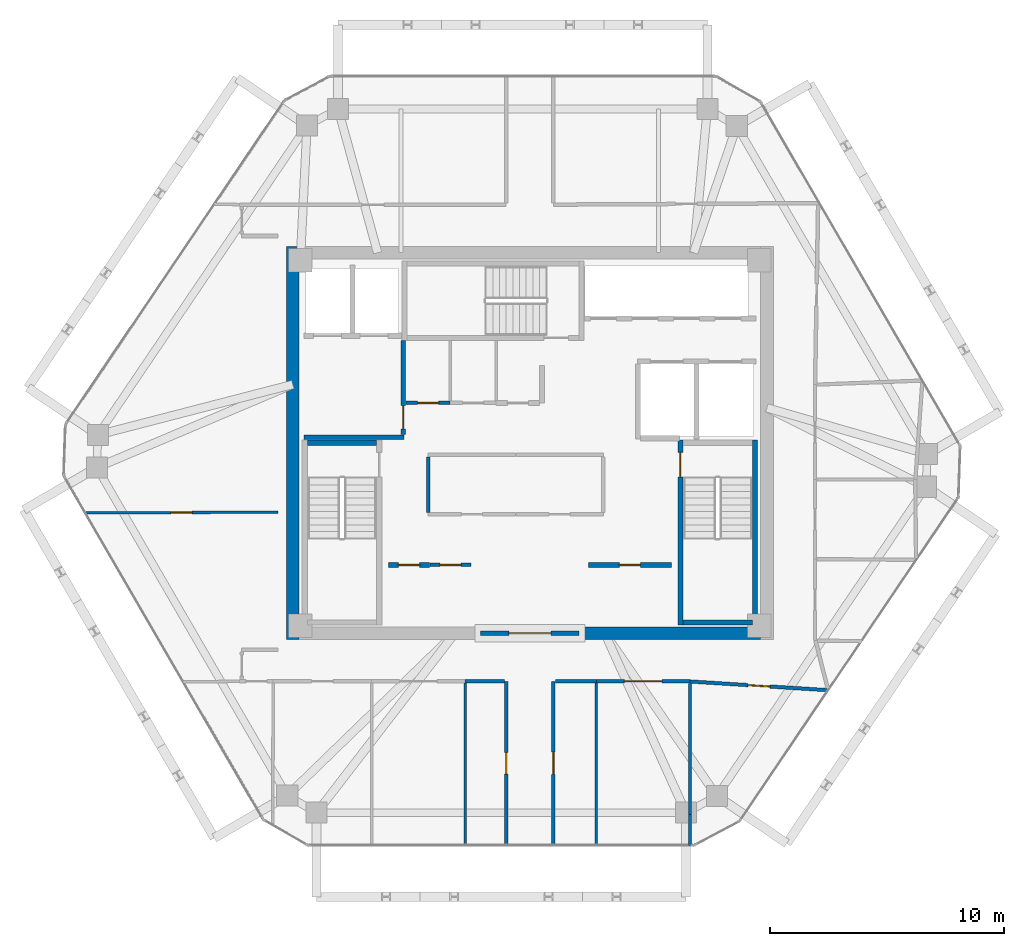
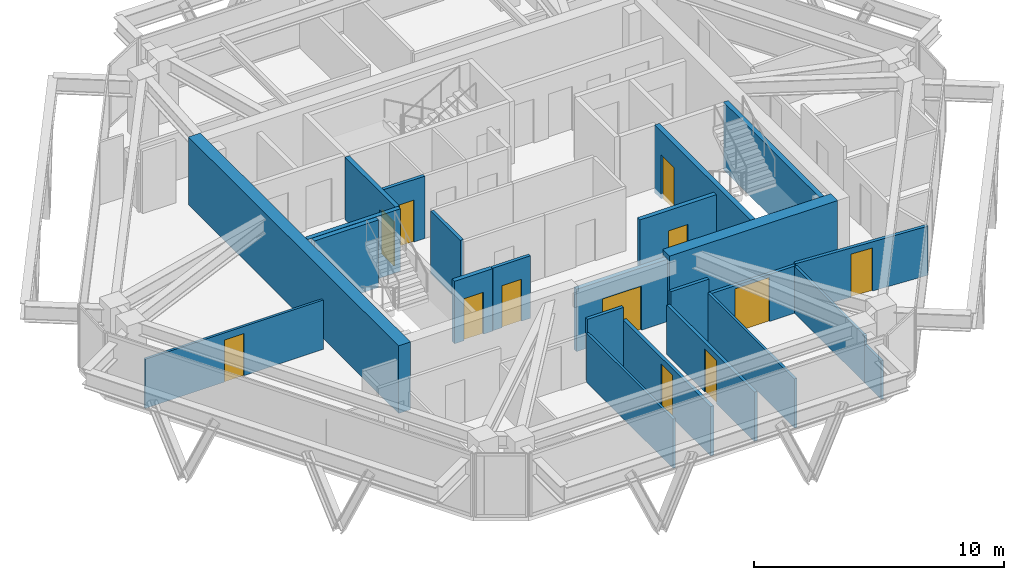
# One storey, part 8 of 11: 25 walls, 12 doors, 12 openings.
"""IFC4 building model written with IfcOpenShell, lengths in metres."""

from ifc_helpers import new_model, si_unit, direction, frame, frame_2d, origin, place, context, subcontext, project, spatial, rectangle, extrude, source, transform, mapped, material, layer, layer_set, type_object, type_shapes, element, fill, save


model = new_model("IFC4")

# Units and contexts
model_context = context("Model", 3, precision=1e-05, world=origin(), true_north=direction((0.0, 1.0)))
body_context = subcontext(model_context, "Body", "Model", "MODEL_VIEW")
ifc_project = project(units=[si_unit("LENGTHUNIT", "METRE"), si_unit("AREAUNIT", "SQUARE_METRE"), si_unit("VOLUMEUNIT", "CUBIC_METRE"), si_unit("PLANEANGLEUNIT", "RADIAN"), si_unit("MASSUNIT", "GRAM", prefix="KILO")], contexts=[model_context])

# Site, building, storey
site_placement = place(None, origin())
site = spatial("IfcSite", under=ifc_project, at=site_placement, CompositionType="ELEMENT")
building_placement = place(site_placement, origin())
building = spatial("IfcBuilding", under=site, at=building_placement, Name="Durnholm Broadcast Tower", CompositionType="ELEMENT")
storey_placement = place(building_placement, frame((0.0, 0.0, 244.699951171875)))
storey = spatial("IfcBuildingStorey", under=building, at=storey_placement, Name="L68", CompositionType="ELEMENT", Elevation=244.699951171875)

# Walls
ifc_material_1 = material(Name="Concrete C70/85", Category="concrete")
ifc_layer_1 = layer(ifc_material_1, 0.550048828125)
ifc_layer_set_1 = layer_set([ifc_layer_1], Name="Concrete C70/85")
wall_type_1 = type_object("IfcWallType", Name="WALL-CW-550", PredefinedType="SHEAR", material=ifc_layer_set_1)
wall_1_placement = place(storey_placement, frame((-10.125, -8.39990234375, 0.0), z_axis=(0.0, 0.0, 1.0), x_axis=(0.0, 1.0, 0.0)))
element("IfcWall", 1, at=wall_1_placement, inside=storey, type_object=wall_type_1, Name="L68 central core shear wall CW-WEST", PredefinedType="SHEAR", context=body_context, shape_type="SweptSolid", body=[
    extrude(rectangle(XDim=16.7998046875, YDim=0.550048828125, at=frame_2d((8.39990234375, 0.0))), origin(), (0.0, 0.0, 1.0), 3.300048828125),
])
wall_2_placement = place(storey_placement, frame((2.10009765625, -8.125, 0.0), z_axis=(0.0, 0.0, 1.0), x_axis=(1.0, 0.0, 0.0)))
element("IfcWall", 2, at=wall_2_placement, inside=storey, type_object=wall_type_1, Name="L68 central core shear wall CW-S2", PredefinedType="SHEAR", context=body_context, shape_type="SweptSolid", body=[
    extrude(rectangle(XDim=7.75, YDim=0.550048828125, at=frame_2d((3.875, 0.0))), origin(), (0.0, 0.0, 1.0), 3.300048828125),
])

# Wall, opening, door
ifc_material_2 = material(Name="Fire-Rated Gypsum Shaftwall", Category="concrete")
ifc_layer_2 = layer(ifc_material_2, 0.199951171875)
ifc_layer_set_2 = layer_set([ifc_layer_2], Name="Fire-Rated Gypsum Shaftwall")
wall_type_2 = type_object("IfcWallType", Name="WALL-LOB-200", PredefinedType="SOLIDWALL", material=ifc_layer_set_2)
wall_3_placement = place(storey_placement, frame((-2.10009765625, -8.125, 0.0), z_axis=(0.0, 0.0, 1.0), x_axis=(1.0, 0.0, 0.0)))
wall_3 = element("IfcWall", 3, at=wall_3_placement, inside=storey, type_object=wall_type_2, Name="L68 south core lobby fire screen", PredefinedType="SOLIDWALL", context=body_context, shape_type="SweptSolid", body=[
    extrude(rectangle(XDim=4.2001953125, YDim=0.199951171875, at=frame_2d((2.10009765625, 0.0))), origin(), (0.0, 0.0, 1.0), 3.045166015625),
])
opening_1_placement = place(wall_3_placement, frame((1.199951171875, 0.0, 0.0)))
opening_1 = element("IfcOpeningElement", 4, at=opening_1_placement, cuts=wall_3, Name="Opening DP-60", PredefinedType="OPENING", context=body_context, shape_type="SweptSolid", body=[
    extrude(rectangle(XDim=1.800048828125, YDim=2.14990234375, at=frame_2d((0.89990234375, 1.074951171875))), frame((0.0, 0.10986328125, 0.0), z_axis=(0.0, -1.0, 0.0), x_axis=(1.0, 0.0, 0.0)), (0.0, 0.0, 1.0), 0.219970703125),
])
ifc_material_3 = material(Name="Fire-Rated Double Corridor Door", Category="steel")
ifc_layer_3 = layer(ifc_material_3, 0.050048828125)
ifc_layer_set_3 = layer_set([ifc_layer_3], Name="Fire-Rated Double Corridor Door")
door_type_1 = type_object("IfcDoorType", Name="DOOR-PAIR-FD60", OperationType="DOUBLE_DOOR_SINGLE_SWING", PredefinedType="DOOR", material=ifc_layer_set_3)
shared_shape_1 = source(origin(), body_context, "Body", "SweptSolid", [
    extrude(rectangle(XDim=1.800048828125, YDim=2.14990234375, at=frame_2d((0.89990234375, 1.074951171875))), frame((0.0, 0.02490234375, 0.0), z_axis=(0.0, -1.0, 0.0), x_axis=(1.0, 0.0, 0.0)), (0.0, 0.0, 1.0), 0.050048828125),
])
type_shapes(door_type_1, [shared_shape_1])
door_1_placement = place(opening_1_placement, origin())
door_1 = element("IfcDoor", 5, at=door_1_placement, inside=storey, type_object=door_type_1, Name="L68 south core lobby double fire door", OperationType="DOUBLE_DOOR_SINGLE_SWING", OverallHeight=2.14990234375, OverallWidth=1.800048828125, PredefinedType="DOOR", context=body_context, shape_type="MappedRepresentation", body=[
    mapped(shared_shape_1, transform((0.0, 0.0, 0.0), x_axis=(1.0, 0.0, 0.0), y_axis=(0.0, 1.0, 0.0), z_axis=(0.0, 0.0, 1.0), scale=1.0)),
])
fill(opening_1, door_1)

# Wall
wall_4_placement = place(storey_placement, frame((-9.64990234375, 0.25, 0.0), z_axis=(0.0, 0.0, 1.0), x_axis=(1.0, 0.0, 0.0)))
element("IfcWall", 6, at=wall_4_placement, inside=storey, type_object=wall_type_2, Name="L68 Fire Service Access Elevator lobby south wall", PredefinedType="SOLIDWALL", context=body_context, shape_type="SweptSolid", body=[
    extrude(rectangle(XDim=4.27001953125, YDim=0.199951171875, at=frame_2d((2.135009765625, 0.0))), origin(), (0.0, 0.0, 1.0), 3.045166015625),
])

# Wall, opening, door
wall_5_placement = place(storey_placement, frame((-5.39990234375, 0.35400390625, 0.0), z_axis=(0.0, 0.0, 1.0), x_axis=(0.0, 1.0, 0.0)))
wall_5 = element("IfcWall", 7, at=wall_5_placement, inside=storey, type_object=wall_type_2, Name="L68 Fire Service Access Elevator lobby east fire wall", PredefinedType="SOLIDWALL", context=body_context, shape_type="SweptSolid", body=[
    extrude(rectangle(XDim=4.02587890625, YDim=0.199951171875, at=frame_2d((2.012939453125, 0.0))), origin(), (0.0, 0.0, 1.0), 3.045166015625),
])
opening_2_placement = place(wall_5_placement, frame((0.24609375, 0.0, 0.0)))
opening_2 = element("IfcOpeningElement", 8, at=opening_2_placement, cuts=wall_5, Name="Opening DL-60L", PredefinedType="OPENING", context=body_context, shape_type="SweptSolid", body=[
    extrude(rectangle(XDim=1.0, YDim=2.14990234375, at=frame_2d((0.5, 1.074951171875))), frame((0.0, 0.10986328125, 0.0), z_axis=(0.0, -1.0, 0.0), x_axis=(1.0, 0.0, 0.0)), (0.0, 0.0, 1.0), 0.219970703125),
])
ifc_material_4 = material(Name="Fire-Rated Timber/Steel Door", Category="steel")
ifc_layer_4 = layer(ifc_material_4, 0.050048828125)
ifc_layer_set_4 = layer_set([ifc_layer_4], Name="Fire-Rated Timber/Steel Door")
door_type_2 = type_object("IfcDoorType", Name="DOOR-LOB-FD60-L", OperationType="NOTDEFINED", PredefinedType="DOOR", material=ifc_layer_set_4)
shared_shape_2 = source(origin(), body_context, "Body", "SweptSolid", [
    extrude(rectangle(XDim=1.0, YDim=2.14990234375, at=frame_2d((0.5, 1.074951171875))), frame((0.0, 0.02490234375, 0.0), z_axis=(0.0, -1.0, 0.0), x_axis=(1.0, 0.0, 0.0)), (0.0, 0.0, 1.0), 0.050048828125),
])
type_shapes(door_type_2, [shared_shape_2])
door_2_placement = place(opening_2_placement, origin())
door_2 = element("IfcDoor", 9, at=door_2_placement, inside=storey, type_object=door_type_2, Name="L68 Fire Service Access Elevator lobby smoke door", OperationType="SINGLE_SWING_LEFT", OverallHeight=2.14990234375, OverallWidth=1.0, PredefinedType="DOOR", context=body_context, shape_type="MappedRepresentation", body=[
    mapped(shared_shape_2, transform((0.0, 0.0, 0.0), x_axis=(1.0, 0.0, 0.0), y_axis=(0.0, 1.0, 0.0), z_axis=(0.0, 0.0, 1.0), scale=1.0)),
])
fill(opening_2, door_2)

wall_6_placement = place(storey_placement, frame((-6.0400390625, -5.2099609375, 0.0), z_axis=(0.0, 0.0, 1.0), x_axis=(1.0, 0.0, 0.0)))
wall_6 = element("IfcWall", 10, at=wall_6_placement, inside=storey, type_object=wall_type_2, Name="L68 Media Fiber Patch Room corridor partition", PredefinedType="SOLIDWALL", context=body_context, shape_type="SweptSolid", body=[
    extrude(rectangle(XDim=1.760009765625, YDim=0.199951171875, at=frame_2d((0.8798828125, 0.0))), origin(), (0.0, 0.0, 1.0), 3.045166015625),
])
opening_3_placement = place(wall_6_placement, frame((0.429931640625, 0.0, 0.0)))
opening_3 = element("IfcOpeningElement", 11, at=opening_3_placement, cuts=wall_6, Name="Opening DC-60L", PredefinedType="OPENING", context=body_context, shape_type="SweptSolid", body=[
    extrude(rectangle(XDim=0.89990234375, YDim=2.050048828125, at=frame_2d((0.449951171875, 1.02490234375))), frame((0.0, 0.10986328125, 0.0), z_axis=(0.0, -1.0, 0.0), x_axis=(1.0, 0.0, 0.0)), (0.0, 0.0, 1.0), 0.219970703125),
])
ifc_material_5 = material(Name="Fire-Rated Core Service Door", Category="steel")
ifc_layer_5 = layer(ifc_material_5, 0.050048828125)
ifc_layer_set_5 = layer_set([ifc_layer_5], Name="Fire-Rated Core Service Door")
door_type_3 = type_object("IfcDoorType", Name="DOOR-CORE-FD60-L", OperationType="NOTDEFINED", PredefinedType="DOOR", material=ifc_layer_set_5)
shared_shape_3 = source(origin(), body_context, "Body", "SweptSolid", [
    extrude(rectangle(XDim=0.89990234375, YDim=2.050048828125, at=frame_2d((0.449951171875, 1.02490234375))), frame((0.0, 0.02490234375, 0.0), z_axis=(0.0, -1.0, 0.0), x_axis=(1.0, 0.0, 0.0)), (0.0, 0.0, 1.0), 0.050048828125),
])
type_shapes(door_type_3, [shared_shape_3])
door_3_placement = place(opening_3_placement, origin())
door_3 = element("IfcDoor", 12, at=door_3_placement, inside=storey, type_object=door_type_3, Name="L68 Media Fiber Patch Room entrance door", OperationType="SINGLE_SWING_LEFT", OverallHeight=2.050048828125, OverallWidth=0.89990234375, PredefinedType="DOOR", context=body_context, shape_type="MappedRepresentation", body=[
    mapped(shared_shape_3, transform((0.0, 0.0, 0.0), x_axis=(1.0, 0.0, 0.0), y_axis=(0.0, 1.0, 0.0), z_axis=(0.0, 0.0, 1.0), scale=1.0)),
])
fill(opening_3, door_3)

wall_7_placement = place(storey_placement, frame((2.510009765625, -5.2099609375, 0.0), z_axis=(0.0, 0.0, 1.0), x_axis=(1.0, 0.0, 0.0)))
wall_7 = element("IfcWall", 13, at=wall_7_placement, inside=storey, type_object=wall_type_2, Name="L68 Telemetry Control Closet corridor partition", PredefinedType="SOLIDWALL", context=body_context, shape_type="SweptSolid", body=[
    extrude(rectangle(XDim=3.530029296875, YDim=0.199951171875, at=frame_2d((1.76513671875, 0.0))), origin(), (0.0, 0.0, 1.0), 3.045166015625),
])
opening_4_placement = place(wall_7_placement, frame((1.31494140625, 0.0, 0.0)))
opening_4 = element("IfcOpeningElement", 14, at=opening_4_placement, cuts=wall_7, Name="Opening DC-60L", PredefinedType="OPENING", context=body_context, shape_type="SweptSolid", body=[
    extrude(rectangle(XDim=0.89990234375, YDim=2.050048828125, at=frame_2d((0.449951171875, 1.02490234375))), frame((0.0, 0.10986328125, 0.0), z_axis=(0.0, -1.0, 0.0), x_axis=(1.0, 0.0, 0.0)), (0.0, 0.0, 1.0), 0.219970703125),
])
door_4_placement = place(opening_4_placement, origin())
door_4 = element("IfcDoor", 15, at=door_4_placement, inside=storey, type_object=door_type_3, Name="L68 Telemetry Control Closet entrance door", OperationType="SINGLE_SWING_LEFT", OverallHeight=2.050048828125, OverallWidth=0.89990234375, PredefinedType="DOOR", context=body_context, shape_type="MappedRepresentation", body=[
    mapped(shared_shape_3, transform((0.0, 0.0, 0.0), x_axis=(1.0, 0.0, 0.0), y_axis=(0.0, 1.0, 0.0), z_axis=(0.0, 0.0, 1.0), scale=1.0)),
])
fill(opening_4, door_4)

# Walls
ifc_material_6 = material(Name="Operable Acoustic Panel Partition", Category="aluminium")
ifc_layer_6 = layer(ifc_material_6, 0.110107421875)
ifc_layer_set_6 = layer_set([ifc_layer_6], Name="Operable Acoustic Panel Partition")
wall_type_3 = type_object("IfcWallType", Name="WALL-MOV-110", PredefinedType="MOVABLE", material=ifc_layer_set_6)
for number, where, z_axis, x_axis, name in (
    (16, (-2.760009765625, -10.259033203125, 0.0), (0.0, 0.0, 1.0), (0.0, -1.0, 0.0), "L68 room dividing partition 16.17"),
    (17, (2.840087890625, -10.259033203125, 0.0), (0.0, 0.0, 1.0), (0.0, -1.0, 0.0), "L68 room dividing partition 18.19"),
):
    element("IfcWall", number, at=place(storey_placement, frame(where, z_axis=z_axis, x_axis=x_axis)), inside=storey, type_object=wall_type_3, Name=name, PredefinedType="MOVABLE", context=body_context, shape_type="SweptSolid", body=[
        extrude(rectangle(XDim=6.927001953125, YDim=0.110107421875, at=frame_2d((3.46337890625, 0.0))), origin(), (0.0, 0.0, 1.0), 2.39892578125),
    ])
wall_8_placement = place(storey_placement, frame((6.840087890625, -10.264404296875, 0.0), z_axis=(0.0, 0.0, 1.0), x_axis=(0.0, -1.0, 0.0)))
element("IfcWall", 18, at=wall_8_placement, inside=storey, type_object=wall_type_3, Name="L68 room dividing partition 19.20", PredefinedType="MOVABLE", context=body_context, shape_type="SweptSolid", body=[
    extrude(rectangle(XDim=5.605712890625, YDim=0.110107421875, at=frame_2d((2.802734375, 0.0))), origin(), (0.0, 0.0, 1.0), 2.30126953125),
])
wall_9_placement = place(storey_placement, frame((6.840087890625, -15.8701171875, 0.0), z_axis=(0.0, 0.0, 1.0), x_axis=(0.0, -1.0, 0.0)))
element("IfcWall", 19, at=wall_9_placement, inside=storey, type_object=wall_type_3, Name="L68 room dividing partition 19.20", PredefinedType="MOVABLE", context=body_context, shape_type="SweptSolid", body=[
    extrude(rectangle(XDim=1.31591796875, YDim=0.110107421875, at=frame_2d((0.657958984375, 0.0))), origin(), (0.0, 0.0, 1.0), 1.876953125),
])

# Wall, opening, door
wall_10_placement = place(storey_placement, frame((-18.99169921875, -2.97998046875, 0.0), z_axis=(0.0, 0.0, 1.0), x_axis=(0.999997042683, 0.0024320004, 0.0)))
wall_10 = element("IfcWall", 20, at=wall_10_placement, inside=storey, type_object=wall_type_3, Name="L68 room dividing partition 21.22", PredefinedType="MOVABLE", context=body_context, shape_type="SweptSolid", body=[
    extrude(rectangle(XDim=8.231689453125, YDim=0.110107421875, at=frame_2d((4.11572265625, 0.0))), origin(), (0.0, 0.0, 1.0), 2.39892578125),
])
opening_5_placement = place(wall_10_placement, frame((3.666015625, 0.0, 0.0)))
opening_5 = element("IfcOpeningElement", 21, at=opening_5_placement, cuts=wall_10, Name="Opening DW-90L", PredefinedType="OPENING", context=body_context, shape_type="SweptSolid", body=[
    extrude(rectangle(XDim=0.89990234375, YDim=2.050048828125, at=frame_2d((0.449951171875, 1.02490234375))), frame((0.0, 0.06494140625, 0.0), z_axis=(0.0, -1.0, 0.0), x_axis=(1.0, 0.0, 0.0)), (0.0, 0.0, 1.0), 0.130126953125),
])
ifc_material_7 = material(Name="Laminate Restroom Door", Category="steel")
ifc_layer_7 = layer(ifc_material_7, 0.050048828125)
ifc_layer_set_7 = layer_set([ifc_layer_7], Name="Laminate Restroom Door")
door_type_4 = type_object("IfcDoorType", Name="DOOR-WC-900L", OperationType="NOTDEFINED", PredefinedType="DOOR", material=ifc_layer_set_7)
shared_shape_4 = source(origin(), body_context, "Body", "SweptSolid", [
    extrude(rectangle(XDim=0.89990234375, YDim=2.050048828125, at=frame_2d((0.449951171875, 1.02490234375))), frame((0.0, 0.02490234375, 0.0), z_axis=(0.0, -1.0, 0.0), x_axis=(1.0, 0.0, 0.0)), (0.0, 0.0, 1.0), 0.050048828125),
])
type_shapes(door_type_4, [shared_shape_4])
door_5_placement = place(opening_5_placement, origin())
door_5 = element("IfcDoor", 22, at=door_5_placement, inside=storey, type_object=door_type_4, Name="L68 Executive Briefing Room connecting door", OperationType="SINGLE_SWING_LEFT", OverallHeight=2.050048828125, OverallWidth=0.89990234375, PredefinedType="DOOR", context=body_context, shape_type="MappedRepresentation", body=[
    mapped(shared_shape_4, transform((0.0, 0.0, 0.0), x_axis=(1.0, 0.0, 0.0), y_axis=(0.0, 1.0, 0.0), z_axis=(0.0, 0.0, 1.0), scale=1.0)),
])
fill(opening_5, door_5)

ifc_material_8 = material(Name="Acoustic Gypsum Stud Partition", Category="concrete")
ifc_layer_8 = layer(ifc_material_8, 0.14990234375)
ifc_layer_set_8 = layer_set([ifc_layer_8], Name="Acoustic Gypsum Stud Partition")
wall_type_4 = type_object("IfcWallType", Name="WALL-PART-150", PredefinedType="PARTITIONING", material=ifc_layer_set_8)
wall_11_placement = place(storey_placement, frame((-4.260009765625, -5.2099609375, 0.0), z_axis=(0.0, 0.0, 1.0), x_axis=(1.0, 0.0, 0.0)))
wall_11 = element("IfcWall", 23, at=wall_11_placement, inside=storey, type_object=wall_type_4, Name="L68 Copy and Print Room corridor partition", PredefinedType="PARTITIONING", context=body_context, shape_type="SweptSolid", body=[
    extrude(rectangle(XDim=1.75, YDim=0.14990234375, at=frame_2d((0.875, 0.0))), origin(), (0.0, 0.0, 1.0), 3.045166015625),
])
opening_6_placement = place(wall_11_placement, frame((0.425048828125, 0.0, 0.0)))
opening_6 = element("IfcOpeningElement", 24, at=opening_6_placement, cuts=wall_11, Name="Opening DC-60R", PredefinedType="OPENING", context=body_context, shape_type="SweptSolid", body=[
    extrude(rectangle(XDim=0.89990234375, YDim=2.050048828125, at=frame_2d((0.449951171875, 1.02490234375))), frame((0.0, 0.0849609375, 0.0), z_axis=(0.0, -1.0, 0.0), x_axis=(1.0, 0.0, 0.0)), (0.0, 0.0, 1.0), 0.169921875),
])
ifc_layer_9 = layer(ifc_material_5, 0.050048828125)
ifc_layer_set_9 = layer_set([ifc_layer_9], Name="Fire-Rated Core Service Door")
door_type_5 = type_object("IfcDoorType", Name="DOOR-CORE-FD60-R", OperationType="NOTDEFINED", PredefinedType="DOOR", material=ifc_layer_set_9)
shared_shape_5 = source(origin(), body_context, "Body", "SweptSolid", [
    extrude(rectangle(XDim=0.89990234375, YDim=2.050048828125, at=frame_2d((0.449951171875, 1.02490234375))), frame((0.0, 0.02490234375, 0.0), z_axis=(0.0, -1.0, 0.0), x_axis=(1.0, 0.0, 0.0)), (0.0, 0.0, 1.0), 0.050048828125),
])
type_shapes(door_type_5, [shared_shape_5])
door_6_placement = place(opening_6_placement, origin())
door_6 = element("IfcDoor", 25, at=door_6_placement, inside=storey, type_object=door_type_5, Name="L68 Copy and Print Room entrance door", OperationType="SINGLE_SWING_RIGHT", OverallHeight=2.050048828125, OverallWidth=0.89990234375, PredefinedType="DOOR", context=body_context, shape_type="MappedRepresentation", body=[
    mapped(shared_shape_5, transform((0.0, 0.0, 0.0), x_axis=(1.0, 0.0, 0.0), y_axis=(0.0, 1.0, 0.0), z_axis=(0.0, 0.0, 1.0), scale=1.0)),
])
fill(opening_6, door_6)

# Wall
wall_12_placement = place(storey_placement, frame((-4.340087890625, -2.9609375, 0.0), z_axis=(0.0, 0.0, 1.0), x_axis=(0.0, 1.0, 0.0)))
element("IfcWall", 26, at=wall_12_placement, inside=storey, type_object=wall_type_4, Name="L68 Digital Tape Archive Store corridor partition", PredefinedType="PARTITIONING", context=body_context, shape_type="SweptSolid", body=[
    extrude(rectangle(XDim=2.371826171875, YDim=0.14990234375, at=frame_2d((1.18603515625, 0.0))), origin(), (0.0, 0.0, 1.0), 3.045166015625),
])

# Wall, opening, door
wall_13_placement = place(storey_placement, frame((-3.39990234375, 1.7099609375, 0.0), z_axis=(0.0, 0.0, 1.0), x_axis=(-1.0, 0.0, 0.0)))
wall_13 = element("IfcWall", 27, at=wall_13_placement, inside=storey, type_object=wall_type_4, Name="L68 Core Copy and Print Closet corridor partition", PredefinedType="PARTITIONING", context=body_context, shape_type="SweptSolid", body=[
    extrude(rectangle(XDim=1.89599609375, YDim=0.14990234375, at=frame_2d((0.947998046875, 0.0))), origin(), (0.0, 0.0, 1.0), 3.045166015625),
])
opening_7_placement = place(wall_13_placement, frame((0.498046875, 0.0, 0.0)))
opening_7 = element("IfcOpeningElement", 28, at=opening_7_placement, cuts=wall_13, Name="Opening DC-60R", PredefinedType="OPENING", context=body_context, shape_type="SweptSolid", body=[
    extrude(rectangle(XDim=0.89990234375, YDim=2.050048828125, at=frame_2d((0.449951171875, 1.02490234375))), frame((0.0, 0.0849609375, 0.0), z_axis=(0.0, -1.0, 0.0), x_axis=(1.0, 0.0, 0.0)), (0.0, 0.0, 1.0), 0.169921875),
])
door_7_placement = place(opening_7_placement, origin())
door_7 = element("IfcDoor", 29, at=door_7_placement, inside=storey, type_object=door_type_5, Name="L68 Core Copy and Print Closet entrance door", OperationType="SINGLE_SWING_RIGHT", OverallHeight=2.050048828125, OverallWidth=0.89990234375, PredefinedType="DOOR", context=body_context, shape_type="MappedRepresentation", body=[
    mapped(shared_shape_5, transform((0.0, 0.0, 0.0), x_axis=(1.0, 0.0, 0.0), y_axis=(0.0, 1.0, 0.0), z_axis=(0.0, 0.0, 1.0), scale=1.0)),
])
fill(opening_7, door_7)

wall_14_placement = place(storey_placement, frame((-1.010009765625, -10.179931640625, 0.0), z_axis=(0.0, 0.0, 1.0), x_axis=(0.0, -1.0, 0.0)))
wall_14 = element("IfcWall", 30, at=wall_14_placement, inside=storey, type_object=wall_type_4, Name="L68 Syndication Conference Room corridor partition", PredefinedType="PARTITIONING", context=body_context, shape_type="SweptSolid", body=[
    extrude(rectangle(XDim=7.006103515625, YDim=0.14990234375, at=frame_2d((3.5029296875, 0.0))), origin(), (0.0, 0.0, 1.0), 2.39892578125),
])
opening_8_placement = place(wall_14_placement, frame((3.04296875, 0.0, 0.0)))
opening_8 = element("IfcOpeningElement", 31, at=opening_8_placement, cuts=wall_14, Name="Opening DR-92L", PredefinedType="OPENING", context=body_context, shape_type="SweptSolid", body=[
    extrude(rectangle(XDim=0.919921875, YDim=2.10009765625, at=frame_2d((0.4599609375, 1.050048828125))), frame((0.0, 0.0849609375, 0.0), z_axis=(0.0, -1.0, 0.0), x_axis=(1.0, 0.0, 0.0)), (0.0, 0.0, 1.0), 0.169921875),
])
ifc_material_9 = material(Name="Oak Veneer Office Door", Category="wood")
ifc_layer_10 = layer(ifc_material_9, 0.050048828125)
ifc_layer_set_10 = layer_set([ifc_layer_10], Name="Oak Veneer Office Door")
door_type_6 = type_object("IfcDoorType", Name="DOOR-RM-920L", OperationType="NOTDEFINED", PredefinedType="DOOR", material=ifc_layer_set_10)
shared_shape_6 = source(origin(), body_context, "Body", "SweptSolid", [
    extrude(rectangle(XDim=0.919921875, YDim=2.10009765625, at=frame_2d((0.4599609375, 1.050048828125))), frame((0.0, 0.02490234375, 0.0), z_axis=(0.0, -1.0, 0.0), x_axis=(1.0, 0.0, 0.0)), (0.0, 0.0, 1.0), 0.050048828125),
])
type_shapes(door_type_6, [shared_shape_6])
door_8_placement = place(opening_8_placement, origin())
door_8 = element("IfcDoor", 32, at=door_8_placement, inside=storey, type_object=door_type_6, Name="L68 Syndication Conference Room entrance door", OperationType="SINGLE_SWING_LEFT", OverallHeight=2.10009765625, OverallWidth=0.919921875, PredefinedType="DOOR", context=body_context, shape_type="MappedRepresentation", body=[
    mapped(shared_shape_6, transform((0.0, 0.0, 0.0), x_axis=(1.0, 0.0, 0.0), y_axis=(0.0, 1.0, 0.0), z_axis=(0.0, 0.0, 1.0), scale=1.0)),
])
fill(opening_8, door_8)

# Wall
wall_15_placement = place(storey_placement, frame((-2.760009765625, -10.179931640625, 0.0), z_axis=(0.0, 0.0, 1.0), x_axis=(1.0, 0.0, 0.0)))
element("IfcWall", 33, at=wall_15_placement, inside=storey, type_object=wall_type_4, Name="L68 Syndication Conference Room corridor partition", PredefinedType="PARTITIONING", context=body_context, shape_type="SweptSolid", body=[
    extrude(rectangle(XDim=1.6708984375, YDim=0.14990234375, at=frame_2d((0.83544921875, 0.0))), origin(), (0.0, 0.0, 1.0), 3.045166015625),
])

# Wall, opening, door
wall_16_placement = place(storey_placement, frame((1.010009765625, -17.18603515625, 0.0), z_axis=(0.0, 0.0, 1.0), x_axis=(0.0, 1.0, 0.0)))
wall_16 = element("IfcWall", 34, at=wall_16_placement, inside=storey, type_object=wall_type_4, Name="L68 Network Hospitality Pantry corridor partition", PredefinedType="PARTITIONING", context=body_context, shape_type="SweptSolid", body=[
    extrude(rectangle(XDim=7.006103515625, YDim=0.14990234375, at=frame_2d((3.5029296875, 0.0))), origin(), (0.0, 0.0, 1.0), 2.39892578125),
])
opening_9_placement = place(wall_16_placement, frame((3.028076171875, 0.0, 0.0)))
opening_9 = element("IfcOpeningElement", 35, at=opening_9_placement, cuts=wall_16, Name="Opening DR-95R", PredefinedType="OPENING", context=body_context, shape_type="SweptSolid", body=[
    extrude(rectangle(XDim=0.949951171875, YDim=2.10009765625, at=frame_2d((0.47509765625, 1.050048828125))), frame((0.0, 0.0849609375, 0.0), z_axis=(0.0, -1.0, 0.0), x_axis=(1.0, 0.0, 0.0)), (0.0, 0.0, 1.0), 0.169921875),
])
ifc_material_10 = material(Name="Acoustic Oak Veneer Timber Door", Category="wood")
ifc_layer_11 = layer(ifc_material_10, 0.050048828125)
ifc_layer_set_11 = layer_set([ifc_layer_11], Name="Acoustic Oak Veneer Timber Door")
door_type_7 = type_object("IfcDoorType", Name="DOOR-RM-950R", OperationType="NOTDEFINED", PredefinedType="DOOR", material=ifc_layer_set_11)
shared_shape_7 = source(origin(), body_context, "Body", "SweptSolid", [
    extrude(rectangle(XDim=0.949951171875, YDim=2.10009765625, at=frame_2d((0.47509765625, 1.050048828125))), frame((0.0, 0.02490234375, 0.0), z_axis=(0.0, -1.0, 0.0), x_axis=(1.0, 0.0, 0.0)), (0.0, 0.0, 1.0), 0.050048828125),
])
type_shapes(door_type_7, [shared_shape_7])
door_9_placement = place(opening_9_placement, origin())
door_9 = element("IfcDoor", 36, at=door_9_placement, inside=storey, type_object=door_type_7, Name="L68 Network Hospitality Pantry entrance door", OperationType="SINGLE_SWING_RIGHT", OverallHeight=2.10009765625, OverallWidth=0.949951171875, PredefinedType="DOOR", context=body_context, shape_type="MappedRepresentation", body=[
    mapped(shared_shape_7, transform((0.0, 0.0, 0.0), x_axis=(1.0, 0.0, 0.0), y_axis=(0.0, 1.0, 0.0), z_axis=(0.0, 0.0, 1.0), scale=1.0)),
])
fill(opening_9, door_9)

# Wall
wall_17_placement = place(storey_placement, frame((1.089111328125, -10.179931640625, 0.0), z_axis=(0.0, 0.0, 1.0), x_axis=(1.0, 0.0, 0.0)))
element("IfcWall", 37, at=wall_17_placement, inside=storey, type_object=wall_type_4, Name="L68 Network Hospitality Pantry corridor partition", PredefinedType="PARTITIONING", context=body_context, shape_type="SweptSolid", body=[
    extrude(rectangle(XDim=1.7509765625, YDim=0.14990234375, at=frame_2d((0.87548828125, 0.0))), origin(), (0.0, 0.0, 1.0), 3.045166015625),
])

# Wall, opening, door
wall_18_placement = place(storey_placement, frame((2.840087890625, -10.179931640625, 0.0), z_axis=(0.0, 0.0, 1.0), x_axis=(1.0, 0.0, 0.0)))
wall_18 = element("IfcWall", 38, at=wall_18_placement, inside=storey, type_object=wall_type_4, Name="L68 Broadcast Screening Auditorium corridor partition", PredefinedType="PARTITIONING", context=body_context, shape_type="SweptSolid", body=[
    extrude(rectangle(XDim=4.0, YDim=0.14990234375, at=frame_2d((2.0, 0.0))), origin(), (0.0, 0.0, 1.0), 2.30126953125),
])
opening_10_placement = place(wall_18_placement, frame((1.199951171875, 0.0, 0.0)))
opening_10 = element("IfcOpeningElement", 39, at=opening_10_placement, cuts=wall_18, Name="Opening DST-160", PredefinedType="OPENING", context=body_context, shape_type="SweptSolid", body=[
    extrude(rectangle(XDim=1.60009765625, YDim=2.14990234375, at=frame_2d((0.800048828125, 1.074951171875))), frame((0.0, 0.0849609375, 0.0), z_axis=(0.0, -1.0, 0.0), x_axis=(1.0, 0.0, 0.0)), (0.0, 0.0, 1.0), 0.169921875),
])
ifc_material_11 = material(Name="Acoustic Broadcast Studio Sound-Lock Door", Category="steel")
ifc_layer_12 = layer(ifc_material_11, 0.050048828125)
ifc_layer_set_12 = layer_set([ifc_layer_12], Name="Acoustic Broadcast Studio Sound-Lock Door")
door_type_8 = type_object("IfcDoorType", Name="DOOR-STU-1600", OperationType="DOUBLE_DOOR_SINGLE_SWING", PredefinedType="DOOR", material=ifc_layer_set_12)
shared_shape_8 = source(origin(), body_context, "Body", "SweptSolid", [
    extrude(rectangle(XDim=1.60009765625, YDim=2.14990234375, at=frame_2d((0.800048828125, 1.074951171875))), frame((0.0, 0.02490234375, 0.0), z_axis=(0.0, -1.0, 0.0), x_axis=(1.0, 0.0, 0.0)), (0.0, 0.0, 1.0), 0.050048828125),
])
type_shapes(door_type_8, [shared_shape_8])
door_10_placement = place(opening_10_placement, origin())
door_10 = element("IfcDoor", 40, at=door_10_placement, inside=storey, type_object=door_type_8, Name="L68 Broadcast Screening Auditorium entrance door", OperationType="DOUBLE_DOOR_SINGLE_SWING", OverallHeight=2.14990234375, OverallWidth=1.60009765625, PredefinedType="DOOR", context=body_context, shape_type="MappedRepresentation", body=[
    mapped(shared_shape_8, transform((0.0, 0.0, 0.0), x_axis=(1.0, 0.0, 0.0), y_axis=(0.0, 1.0, 0.0), z_axis=(0.0, 0.0, 1.0), scale=1.0)),
])
fill(opening_10, door_10)

wall_19_placement = place(storey_placement, frame((6.840087890625, -10.18505859375, 0.0), z_axis=(0.0, 0.0, 1.0), x_axis=(0.99800894273, -0.063072579072, 0.0)))
wall_19 = element("IfcWall", 41, at=wall_19_placement, inside=storey, type_object=wall_type_4, Name="L68 Editorial Briefing Meeting Room corridor partition", PredefinedType="PARTITIONING", context=body_context, shape_type="SweptSolid", body=[
    extrude(rectangle(XDim=5.91064453125, YDim=0.14990234375, at=frame_2d((2.955322265625, 0.0))), origin(), (0.0, 0.0, 1.0), 2.39892578125),
])
opening_11_placement = place(wall_19_placement, frame((2.480224609375, 0.0, 0.0)))
opening_11 = element("IfcOpeningElement", 42, at=opening_11_placement, cuts=wall_19, Name="Opening DR-95R", PredefinedType="OPENING", context=body_context, shape_type="SweptSolid", body=[
    extrude(rectangle(XDim=0.949951171875, YDim=2.10009765625, at=frame_2d((0.47509765625, 1.050048828125))), frame((0.0, 0.0849609375, 0.0), z_axis=(0.0, -1.0, 0.0), x_axis=(1.0, 0.0, 0.0)), (0.0, 0.0, 1.0), 0.169921875),
])
door_11_placement = place(opening_11_placement, origin())
door_11 = element("IfcDoor", 43, at=door_11_placement, inside=storey, type_object=door_type_7, Name="L68 Editorial Briefing Meeting Room entrance door", OperationType="SINGLE_SWING_RIGHT", OverallHeight=2.10009765625, OverallWidth=0.949951171875, PredefinedType="DOOR", context=body_context, shape_type="MappedRepresentation", body=[
    mapped(shared_shape_7, transform((0.0, 0.0, 0.0), x_axis=(1.0, 0.0, 0.0), y_axis=(0.0, 1.0, 0.0), z_axis=(0.0, 0.0, 1.0), scale=1.0)),
])
fill(opening_11, door_11)

# Walls
ifc_material_12 = material(Name="Concrete C50/60", Category="concrete")
ifc_layer_13 = layer(ifc_material_12, 0.219970703125)
ifc_layer_set_13 = layer_set([ifc_layer_13], Name="Concrete C50/60")
wall_type_5 = type_object("IfcWallType", Name="WALL-SW-220", PredefinedType="SHEAR", material=ifc_layer_set_13)
wall_20_placement = place(storey_placement, frame((-6.5400390625, 0.010009765625, -0.239990234375), z_axis=(0.0, 0.0, 1.0), x_axis=(-1.0, 0.0, 0.0)))
element("IfcWall", 44, at=wall_20_placement, inside=storey, type_object=wall_type_5, Name="L68 stair ST-1 structural shaft wall N", PredefinedType="SHEAR", context=body_context, shape_type="SweptSolid", body=[
    extrude(rectangle(XDim=2.9599609375, YDim=0.219970703125, at=frame_2d((1.47998046875, 0.0))), origin(), (0.0, 0.0, 1.0), 3.300048828125),
])
wall_21_placement = place(storey_placement, frame((9.610107421875, -7.77001953125, -0.239990234375), z_axis=(0.0, 0.0, 1.0), x_axis=(0.0, 1.0, 0.0)))
element("IfcWall", 45, at=wall_21_placement, inside=storey, type_object=wall_type_5, Name="L68 stair ST-2 structural shaft wall E", PredefinedType="SHEAR", context=body_context, shape_type="SweptSolid", body=[
    extrude(rectangle(XDim=7.89013671875, YDim=0.219970703125, at=frame_2d((3.945068359375, 0.0))), origin(), (0.0, 0.0, 1.0), 3.300048828125),
])

# Wall, opening, door
wall_22_placement = place(storey_placement, frame((6.429931640625, 0.1201171875, -0.239990234375), z_axis=(0.0, 0.0, 1.0), x_axis=(0.0, -1.0, 0.0)))
wall_22 = element("IfcWall", 46, at=wall_22_placement, inside=storey, type_object=wall_type_5, Name="L68 stair ST-2 structural shaft wall W", PredefinedType="SHEAR", context=body_context, shape_type="SweptSolid", body=[
    extrude(rectangle(XDim=7.89013671875, YDim=0.219970703125, at=frame_2d((3.945068359375, 0.0))), origin(), (0.0, 0.0, 1.0), 3.300048828125),
])
opening_12_placement = place(wall_22_placement, frame((0.52001953125, 0.0, 0.0)))
opening_12 = element("IfcOpeningElement", 47, at=opening_12_placement, cuts=wall_22, Name="Opening DS-90R", PredefinedType="OPENING", context=body_context, shape_type="SweptSolid", body=[
    extrude(rectangle(XDim=1.050048828125, YDim=2.14990234375, at=frame_2d((0.52490234375, 1.074951171875))), frame((0.0, 0.1201171875, 0.0), z_axis=(0.0, -1.0, 0.0), x_axis=(1.0, 0.0, 0.0)), (0.0, 0.0, 1.0), 0.239990234375),
])
ifc_material_13 = material(Name="Fire-Rated Steel Door", Category="steel")
ifc_layer_14 = layer(ifc_material_13, 0.050048828125)
ifc_layer_set_14 = layer_set([ifc_layer_14], Name="Fire-Rated Steel Door")
door_type_9 = type_object("IfcDoorType", Name="DOOR-ST-FD90-R", OperationType="NOTDEFINED", PredefinedType="DOOR", material=ifc_layer_set_14)
shared_shape_9 = source(origin(), body_context, "Body", "SweptSolid", [
    extrude(rectangle(XDim=1.050048828125, YDim=2.14990234375, at=frame_2d((0.52490234375, 1.074951171875))), frame((0.0, 0.02490234375, 0.0), z_axis=(0.0, -1.0, 0.0), x_axis=(1.0, 0.0, 0.0)), (0.0, 0.0, 1.0), 0.050048828125),
])
type_shapes(door_type_9, [shared_shape_9])
door_12_placement = place(opening_12_placement, origin())
door_12 = element("IfcDoor", 48, at=door_12_placement, inside=storey, type_object=door_type_9, Name="L68 exit stair ST-2 fire door", OperationType="SINGLE_SWING_RIGHT", OverallHeight=2.14990234375, OverallWidth=1.050048828125, PredefinedType="DOOR", context=body_context, shape_type="MappedRepresentation", body=[
    mapped(shared_shape_9, transform((0.0, 0.0, 0.0), x_axis=(1.0, 0.0, 0.0), y_axis=(0.0, 1.0, 0.0), z_axis=(0.0, 0.0, 1.0), scale=1.0)),
])
fill(opening_12, door_12)

# Wall
wall_23_placement = place(storey_placement, frame((6.5400390625, -7.659912109375, -0.239990234375), z_axis=(0.0, 0.0, 1.0), x_axis=(1.0, 0.0, 0.0)))
element("IfcWall", 49, at=wall_23_placement, inside=storey, type_object=wall_type_5, Name="L68 stair ST-2 structural shaft wall S", PredefinedType="SHEAR", context=body_context, shape_type="SweptSolid", body=[
    extrude(rectangle(XDim=2.9599609375, YDim=0.219970703125, at=frame_2d((1.47998046875, 0.0))), origin(), (0.0, 0.0, 1.0), 3.300048828125),
])

save(model, "model.ifc")
